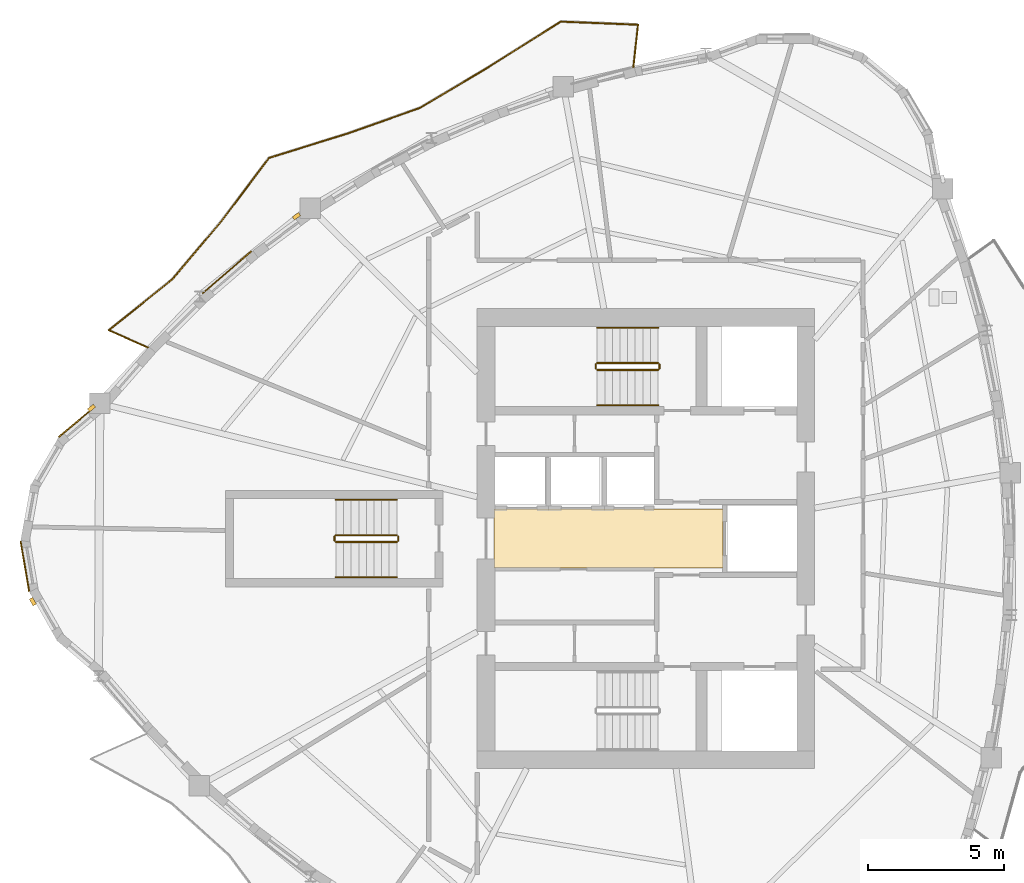
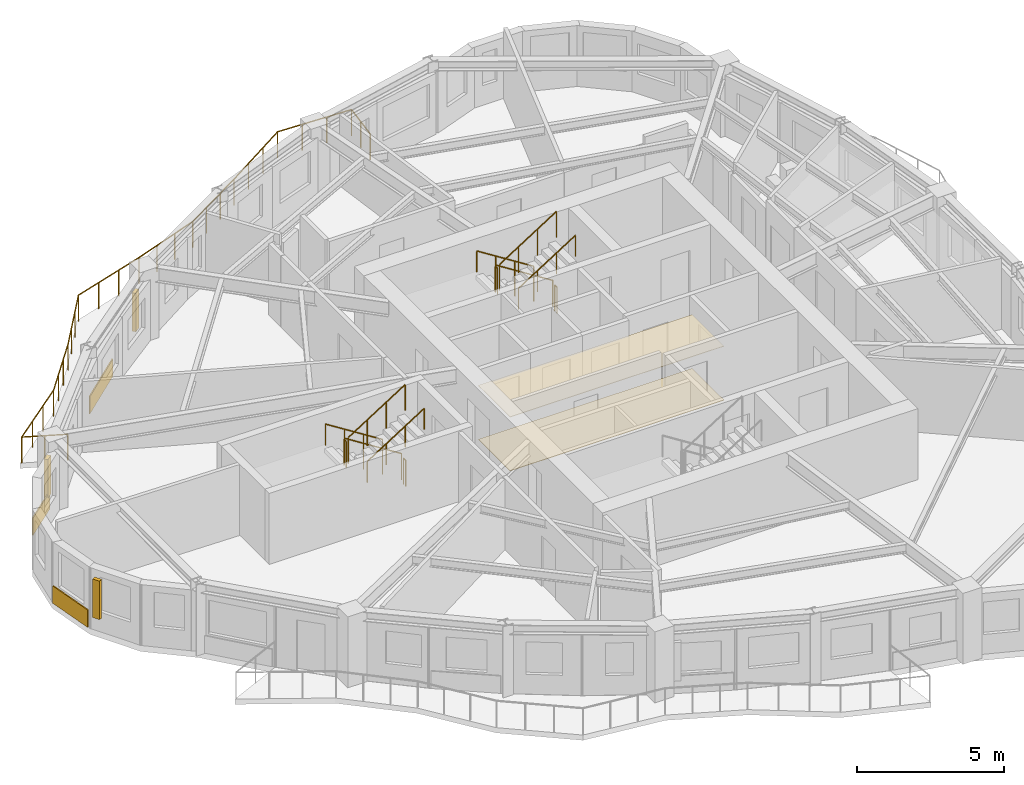
# One storey, part 10 of 12: 13 railings, 5 coverings, 3 shading devices.
"""IFC4 building model written with IfcOpenShell, lengths in metres."""

from ifc_helpers import new_model, si_unit, direction, frame, origin, origin_2d, place, context, subcontext, project, spatial, polyline, rectangle, circle, outline, extrude, source, transform, mapped, material, layer, layer_set, type_object, element, save


model = new_model("IFC4")

# Units and contexts
model_context = context("Model", 3, precision=1e-05, world=origin(), true_north=direction((0.0, 1.0)))
body_context = subcontext(model_context, "Body", "Model", "MODEL_VIEW")
ifc_project = project(units=[si_unit("LENGTHUNIT", "METRE"), si_unit("AREAUNIT", "SQUARE_METRE"), si_unit("VOLUMEUNIT", "CUBIC_METRE"), si_unit("PLANEANGLEUNIT", "RADIAN"), si_unit("MASSUNIT", "GRAM", prefix="KILO")], contexts=[model_context])

# Site, building, storey
site_placement = place(None, origin())
site = spatial("IfcSite", under=ifc_project, at=site_placement, CompositionType="ELEMENT")
building_placement = place(site_placement, origin())
building = spatial("IfcBuilding", under=site, at=building_placement, Name="Qafzar Sky-Pleat Residences", CompositionType="ELEMENT")
storey_placement = place(building_placement, frame((0.0, 0.0, 171.39990234375)))
storey = spatial("IfcBuildingStorey", under=building, at=storey_placement, Name="L51", CompositionType="ELEMENT", Elevation=171.39990234375)

# Coverings
ifc_material_1 = material(Name="Perforated acoustic gypsum board ceiling")
ifc_layer_1 = layer(ifc_material_1, 0.02001953125)
ifc_layer_set_1 = layer_set([ifc_layer_1], Name="Perforated acoustic gypsum board ceiling")
covering_type_1 = type_object("IfcCoveringType", Name="COV-CEIL-ACOUSTIC", PredefinedType="CEILING", material=ifc_layer_set_1)
covering_1_placement = place(storey_placement, frame((0.0, 0.0, 2.239990234375)))
element("IfcCovering", 1, at=covering_1_placement, inside=storey, type_object=covering_type_1, Name="L51 Passenger Lift Lobby Acoustic Ceiling", PredefinedType="CEILING", context=body_context, shape_type="SweptSolid", body=[
    extrude(outline(polyline([(33.179931640625, 24.919921875), (24.77001953125, 24.919921875), (24.77001953125, 27.080078125), (33.179931640625, 27.080078125), (33.179931640625, 24.919921875)])), origin(), (0.0, 0.0, 1.0), 0.02001953125),
])
ifc_material_2 = material(Name="Honed porcelain and Riyadh stone tile flooring", Category="masonry")
ifc_layer_2 = layer(ifc_material_2, 0.02001953125)
ifc_layer_set_2 = layer_set([ifc_layer_2], Name="Honed porcelain and Riyadh stone tile flooring")
covering_type_2 = type_object("IfcCoveringType", Name="COV-FLR-PORCELAIN", PredefinedType="FLOORING", material=ifc_layer_set_2)
covering_2_placement = place(storey_placement, origin())
element("IfcCovering", 2, at=covering_2_placement, inside=storey, type_object=covering_type_2, Name="L51 Passenger Lift Lobby Honed Stone Flooring", PredefinedType="FLOORING", context=body_context, shape_type="SweptSolid", body=[
    extrude(outline(polyline([(33.179931640625, 24.919921875), (24.77001953125, 24.919921875), (24.77001953125, 27.080078125), (33.179931640625, 27.080078125), (33.179931640625, 24.919921875)])), origin(), (0.0, 0.0, 1.0), 0.02001953125),
])

# Shading devices
ifc_material_3 = material(Name="Honed Riyadh limestone solar fin", Category="masonry")
ifc_layer_3 = layer(ifc_material_3, 0.139892578125)
ifc_layer_set_3 = layer_set([ifc_layer_3], Name="Honed Riyadh limestone solar fin")
shading_device_type = type_object("IfcShadingDeviceType", Name="SHD-FIN-STONE", PredefinedType="SHUTTER", material=ifc_layer_set_3)
shared_shape_1 = source(origin(), body_context, "Body", "SweptSolid", [
    extrude(rectangle(XDim=0.139892578125, YDim=0.280029296875, at=origin_2d()), origin(), (0.0, 0.0, 1.0), 1.60009765625),
])
for number, where, z_axis, x_axis, name in (
    (3, (9.977783203125, 30.7958984375, 0.60009765625), (0.0, 0.0, 1.0), (-0.642173926269, 0.766558966042, 0.0), "L51 Limestone Solar Fin 1"),
    (4, (7.822998046875, 23.68310546875, 0.60009765625), (0.0, 0.0, 1.0), (-0.869636147996, -0.493693194301, 0.0), "L51 Limestone Solar Fin 5"),
    (5, (17.51025390625, 37.845947265625, 0.60009765625), (0.0, 0.0, 1.0), (-0.594869963507, 0.803821949512, 0.0), "L51 Limestone Solar Fin 45"),
):
    element("IfcShadingDevice", number, at=place(storey_placement, frame(where, z_axis=z_axis, x_axis=x_axis)), inside=storey, type_object=shading_device_type, Name=name, PredefinedType="SHUTTER", context=body_context, shape_type="MappedRepresentation", body=[
        mapped(shared_shape_1, transform((0.0, 0.0, 0.0), x_axis=(1.0, 0.0, 0.0), y_axis=(0.0, 1.0, 0.0), z_axis=(0.0, 0.0, 1.0), scale=1.0)),
    ])

# Covering
ifc_material_4 = material(Name="Honed Riyadh Tuwaiq limestone cladding", Category="masonry")
ifc_layer_4 = layer(ifc_material_4, 0.044921875)
ifc_layer_set_4 = layer_set([ifc_layer_4], Name="Honed Riyadh Tuwaiq limestone cladding")
covering_type_3 = type_object("IfcCoveringType", Name="COV-CLAD-STONE", PredefinedType="CLADDING", material=ifc_layer_set_4)
shared_shape_2 = source(origin(), body_context, "Body", "SweptSolid", [
    extrude(rectangle(XDim=1.872802734375, YDim=0.044921875, at=origin_2d()), origin(), (0.0, 0.0, 1.0), 0.719970703125),
])
covering_3_placement = place(storey_placement, frame((7.5302734375, 24.98046875, 0.02001953125), z_axis=(0.0, 0.0, 1.0), x_axis=(0.168083505524, -0.985772760412, 0.0)))
element("IfcCovering", 6, at=covering_3_placement, inside=storey, type_object=covering_type_3, Name="L51 Riyadh Limestone Spandrel Cladding 4", PredefinedType="CLADDING", context=body_context, shape_type="MappedRepresentation", body=[
    mapped(shared_shape_2, transform((0.0, 0.0, 0.0), x_axis=(1.0, 0.0, 0.0), y_axis=(0.0, 1.0, 0.0), z_axis=(0.0, 0.0, 1.0), scale=1.0)),
])

# Railing
ifc_material_5 = material(Name="Laminated glass and bronze steel balustrade", Category="steel")
railing_type_1 = type_object("IfcRailingType", Name="RAIL-BAL-1100", PredefinedType="BALUSTRADE", material=ifc_material_5)
shared_shape_3 = source(origin(), body_context, "Body", "SweptSolid", [
    extrude(circle(Radius=0.02392578125, at=origin_2d()), frame((0.0, 0.0, 1.076171875), z_axis=(0.108461410542, 0.994100660106, 0.0), x_axis=(-0.994100660106, 0.108461410542, 0.0)), (0.0, 0.0, 1.0), 1.577880859375),
    extrude(circle(Radius=0.02392578125, at=origin_2d()), frame((0.171142578125, 1.568603515625, 1.076171875), z_axis=(-0.999194909063, 0.040118994285, 0.0), x_axis=(-0.040118994285, -0.999194909063, 0.0)), (0.0, 0.0, 1.0), 2.841796875),
    extrude(circle(Radius=0.02392578125, at=origin_2d()), frame((-2.66845703125, 1.6826171875, 1.076171875), z_axis=(-0.846148056043, -0.532947902947, 0.0), x_axis=(0.532947902947, -0.846148056043, 0.0)), (0.0, 0.0, 1.0), 3.174072265625),
    extrude(circle(Radius=0.02392578125, at=origin_2d()), frame((-5.354248046875, -0.009033203125, 1.076171875), z_axis=(-0.85916719873, -0.511694952708, 0.0), x_axis=(0.511694952708, -0.85916719873, 0.0)), (0.0, 0.0, 1.0), 2.886962890625),
    extrude(circle(Radius=0.02392578125, at=origin_2d()), frame((-7.834716796875, -1.486328125, 1.076171875), z_axis=(-0.942773892816, -0.333432732385, 0.0), x_axis=(0.333432732385, -0.942773892816, 0.0)), (0.0, 0.0, 1.0), 2.81396484375),
    extrude(circle(Radius=0.02392578125, at=origin_2d()), frame((-10.487548828125, -2.424560546875, 1.076171875), z_axis=(-0.954969167294, -0.296705054755, 0.0), x_axis=(0.296705054755, -0.954969167294, 0.0)), (0.0, 0.0, 1.0), 3.037841796875),
    extrude(circle(Radius=0.02392578125, at=origin_2d()), frame((-13.388671875, -3.325927734375, 1.076171875), z_axis=(-0.601041730747, -0.799217641135, 0.0), x_axis=(0.799217641135, -0.601041730747, 0.0)), (0.0, 0.0, 1.0), 2.92333984375),
    extrude(circle(Radius=0.02392578125, at=origin_2d()), frame((-15.145751953125, -5.662353515625, 1.076171875), z_axis=(-0.645698045806, -0.763592845463, 0.0), x_axis=(0.763592845463, -0.645698045806, 0.0)), (0.0, 0.0, 1.0), 2.779052734375),
    extrude(circle(Radius=0.02392578125, at=origin_2d()), frame((-16.940185546875, -7.784423828125, 1.076171875), z_axis=(-0.77980175034, -0.626026541103, 0.0), x_axis=(0.626026541103, -0.77980175034, 0.0)), (0.0, 0.0, 1.0), 2.994384765625),
    extrude(circle(Radius=0.02392578125, at=origin_2d()), frame((-19.275146484375, -9.658935546875, 1.076171875), z_axis=(0.915178094517, -0.403049693359, 0.0), x_axis=(0.403049693359, 0.915178094517, 0.0)), (0.0, 0.0, 1.0), 1.577880859375),
    extrude(circle(Radius=0.02099609375, at=origin_2d()), origin(), (0.0, 0.0, 1.0), 1.052001953125),
    extrude(circle(Radius=0.02099609375, at=origin_2d()), frame((0.08544921875, 0.7841796875, 0.0)), (0.0, 0.0, 1.0), 1.052001953125),
    extrude(circle(Radius=0.02099609375, at=origin_2d()), frame((0.171142578125, 1.568603515625, 0.0)), (0.0, 0.0, 1.0), 1.052001953125),
    extrude(circle(Radius=0.02099609375, at=origin_2d()), frame((-0.775390625, 1.606689453125, 0.0)), (0.0, 0.0, 1.0), 1.052001953125),
    extrude(circle(Radius=0.02099609375, at=origin_2d()), frame((-1.721923828125, 1.64453125, 0.0)), (0.0, 0.0, 1.0), 1.052001953125),
    extrude(circle(Radius=0.02099609375, at=origin_2d()), frame((-2.66845703125, 1.6826171875, 0.0)), (0.0, 0.0, 1.0), 1.052001953125),
    extrude(circle(Radius=0.02099609375, at=origin_2d()), frame((-3.563720703125, 1.11865234375, 0.0)), (0.0, 0.0, 1.0), 1.052001953125),
    extrude(circle(Radius=0.02099609375, at=origin_2d()), frame((-4.458984375, 0.554931640625, 0.0)), (0.0, 0.0, 1.0), 1.052001953125),
    extrude(circle(Radius=0.02099609375, at=origin_2d()), frame((-5.354248046875, -0.009033203125, 0.0)), (0.0, 0.0, 1.0), 1.052001953125),
    extrude(circle(Radius=0.02099609375, at=origin_2d()), frame((-6.18115234375, -0.50146484375, 0.0)), (0.0, 0.0, 1.0), 1.052001953125),
    extrude(circle(Radius=0.02099609375, at=origin_2d()), frame((-7.0078125, -0.993896484375, 0.0)), (0.0, 0.0, 1.0), 1.052001953125),
    extrude(circle(Radius=0.02099609375, at=origin_2d()), frame((-7.834716796875, -1.486328125, 0.0)), (0.0, 0.0, 1.0), 1.052001953125),
    extrude(circle(Radius=0.02099609375, at=origin_2d()), frame((-8.718994140625, -1.799072265625, 0.0)), (0.0, 0.0, 1.0), 1.052001953125),
    extrude(circle(Radius=0.02099609375, at=origin_2d()), frame((-9.603271484375, -2.11181640625, 0.0)), (0.0, 0.0, 1.0), 1.052001953125),
    extrude(circle(Radius=0.02099609375, at=origin_2d()), frame((-10.487548828125, -2.424560546875, 0.0)), (0.0, 0.0, 1.0), 1.052001953125),
    extrude(circle(Radius=0.02099609375, at=origin_2d()), frame((-11.45458984375, -2.72509765625, 0.0)), (0.0, 0.0, 1.0), 1.052001953125),
    extrude(circle(Radius=0.02099609375, at=origin_2d()), frame((-12.421630859375, -3.025390625, 0.0)), (0.0, 0.0, 1.0), 1.052001953125),
    extrude(circle(Radius=0.02099609375, at=origin_2d()), frame((-13.388671875, -3.325927734375, 0.0)), (0.0, 0.0, 1.0), 1.052001953125),
    extrude(circle(Radius=0.02099609375, at=origin_2d()), frame((-13.974365234375, -4.104736328125, 0.0)), (0.0, 0.0, 1.0), 1.052001953125),
    extrude(circle(Radius=0.02099609375, at=origin_2d()), frame((-14.56005859375, -4.883544921875, 0.0)), (0.0, 0.0, 1.0), 1.052001953125),
    extrude(circle(Radius=0.02099609375, at=origin_2d()), frame((-15.145751953125, -5.662353515625, 0.0)), (0.0, 0.0, 1.0), 1.052001953125),
    extrude(circle(Radius=0.02099609375, at=origin_2d()), frame((-15.743896484375, -6.36962890625, 0.0)), (0.0, 0.0, 1.0), 1.052001953125),
    extrude(circle(Radius=0.02099609375, at=origin_2d()), frame((-16.342041015625, -7.0771484375, 0.0)), (0.0, 0.0, 1.0), 1.052001953125),
    extrude(circle(Radius=0.02099609375, at=origin_2d()), frame((-16.940185546875, -7.784423828125, 0.0)), (0.0, 0.0, 1.0), 1.052001953125),
    extrude(circle(Radius=0.02099609375, at=origin_2d()), frame((-17.718505859375, -8.4091796875, 0.0)), (0.0, 0.0, 1.0), 1.052001953125),
    extrude(circle(Radius=0.02099609375, at=origin_2d()), frame((-18.496826171875, -9.0341796875, 0.0)), (0.0, 0.0, 1.0), 1.052001953125),
    extrude(circle(Radius=0.02099609375, at=origin_2d()), frame((-19.275146484375, -9.658935546875, 0.0)), (0.0, 0.0, 1.0), 1.052001953125),
    extrude(circle(Radius=0.02099609375, at=origin_2d()), frame((-18.55322265625, -9.97705078125, 0.0)), (0.0, 0.0, 1.0), 1.052001953125),
    extrude(circle(Radius=0.02099609375, at=origin_2d()), frame((-17.8310546875, -10.294921875, 0.0)), (0.0, 0.0, 1.0), 1.052001953125),
])
railing_placement = place(storey_placement, frame((29.890869140625, 43.314453125, 0.0)))
element("IfcRailing", 7, at=railing_placement, inside=storey, type_object=railing_type_1, Name="L51 Pleated Balcony 2 Balustrade", PredefinedType="BALUSTRADE", context=body_context, shape_type="MappedRepresentation", body=[
    mapped(shared_shape_3, transform((0.0, 0.0, 0.0), x_axis=(1.0, 0.0, 0.0), y_axis=(0.0, 1.0, 0.0), z_axis=(0.0, 0.0, 1.0), scale=1.0)),
])

# Coverings
shared_shape_4 = source(origin(), body_context, "Body", "SweptSolid", [
    extrude(rectangle(XDim=1.690185546875, YDim=0.044921875, at=origin_2d()), origin(), (0.0, 0.0, 1.0), 0.719970703125),
])
covering_4_placement = place(storey_placement, frame((9.4228515625, 30.27490234375, 0.02001953125), z_axis=(0.0, 0.0, 1.0), x_axis=(-0.766555899937, -0.642177586242, 0.0)))
element("IfcCovering", 8, at=covering_4_placement, inside=storey, type_object=covering_type_3, Name="L51 Riyadh Limestone Spandrel Cladding 1", PredefinedType="CLADDING", context=body_context, shape_type="MappedRepresentation", body=[
    mapped(shared_shape_4, transform((0.0, 0.0, 0.0), x_axis=(1.0, 0.0, 0.0), y_axis=(0.0, 1.0, 0.0), z_axis=(0.0, 0.0, 1.0), scale=1.0)),
])
shared_shape_5 = source(origin(), body_context, "Body", "SweptSolid", [
    extrude(rectangle(XDim=2.372314453125, YDim=0.044921875, at=origin_2d()), origin(), (0.0, 0.0, 1.0), 0.719970703125),
])
covering_5_placement = place(storey_placement, frame((14.955078125, 35.783447265625, 0.02001953125), z_axis=(0.0, 0.0, 1.0), x_axis=(-0.757486299872, -0.652851059206, 0.0)))
element("IfcCovering", 9, at=covering_5_placement, inside=storey, type_object=covering_type_3, Name="L51 Riyadh Limestone Spandrel Cladding 46", PredefinedType="CLADDING", context=body_context, shape_type="MappedRepresentation", body=[
    mapped(shared_shape_5, transform((0.0, 0.0, 0.0), x_axis=(1.0, 0.0, 0.0), y_axis=(0.0, 1.0, 0.0), z_axis=(0.0, 0.0, 1.0), scale=1.0)),
])

# Railings
ifc_material_6 = material(Name="Painted Steel S355 stair guardrail", Category="steel")
railing_type_2 = type_object("IfcRailingType", Name="RAIL-STAIR-GUARD", PredefinedType="GUARDRAIL", material=ifc_material_6)
shared_shape_6 = source(origin(), body_context, "Body", "SweptSolid", [
    extrude(circle(Radius=0.02392578125, at=origin_2d()), frame((0.0, 0.0, 1.076171875), z_axis=(0.0, -1.0, 0.0), x_axis=(1.0, 0.0, 0.0)), (0.0, 0.0, 1.0), 0.14990234375),
    extrude(circle(Radius=0.02099609375, at=origin_2d()), origin(), (0.0, 0.0, 1.0), 1.052001953125),
    extrude(circle(Radius=0.02099609375, at=origin_2d()), frame((0.0, -0.14990234375, 0.0)), (0.0, 0.0, 1.0), 1.052001953125),
])
for number, where, name in (
    (10, (28.510009765625, 32.39990234375, 1.60009765625), "L51 ST2 stair guard 2"),
    (11, (30.85009765625, 32.39990234375, 0.0), "L51 ST2 stair guard 4"),
    (12, (18.909912109375, 26.074951171875, 1.60009765625), "L51 ST3 stair guard 2"),
    (13, (21.25, 26.074951171875, 0.0), "L51 ST3 stair guard 4"),
):
    element("IfcRailing", number, at=place(storey_placement, frame(where)), inside=storey, type_object=railing_type_2, Name=name, PredefinedType="GUARDRAIL", context=body_context, shape_type="MappedRepresentation", body=[
        mapped(shared_shape_6, transform((0.0, 0.0, 0.0), x_axis=(1.0, 0.0, 0.0), y_axis=(0.0, 1.0, 0.0), z_axis=(0.0, 0.0, 1.0), scale=1.0)),
    ])
shared_shape_7 = source(origin(), body_context, "Body", "SweptSolid", [
    extrude(circle(Radius=0.02392578125, at=origin_2d()), frame((0.0, 0.0, 1.076171875), z_axis=(-0.8442293374, 0.0, 0.53598211339), x_axis=(0.0, -1.0, 0.0)), (0.0, 0.0, 1.0), 2.6533203125),
    extrude(circle(Radius=0.02099609375, at=origin_2d()), origin(), (0.0, 0.0, 1.0), 1.052001953125),
    extrude(circle(Radius=0.02099609375, at=origin_2d()), frame((-0.74658203125, 0.0, 0.47412109375)), (0.0, 0.0, 1.0), 1.052001953125),
    extrude(circle(Radius=0.02099609375, at=origin_2d()), frame((-1.493408203125, 0.0, 0.947998046875)), (0.0, 0.0, 1.0), 1.052001953125),
    extrude(circle(Radius=0.02099609375, at=origin_2d()), frame((-2.239990234375, 0.0, 1.422119140625)), (0.0, 0.0, 1.0), 1.052001953125),
])
for number, where, name in (
    (14, (30.800048828125, 32.449951171875, 0.177978515625), "L51 ST2 stair guard 1"),
    (15, (21.199951171875, 26.125, 0.177978515625), "L51 ST3 stair guard 1"),
):
    element("IfcRailing", number, at=place(storey_placement, frame(where)), inside=storey, type_object=railing_type_2, Name=name, PredefinedType="GUARDRAIL", context=body_context, shape_type="MappedRepresentation", body=[
        mapped(shared_shape_7, transform((0.0, 0.0, 0.0), x_axis=(1.0, 0.0, 0.0), y_axis=(0.0, 1.0, 0.0), z_axis=(0.0, 0.0, 1.0), scale=1.0)),
    ])
ifc_material_7 = material(Name="Brushed stainless steel handrail", Category="steel")
railing_type_3 = type_object("IfcRailingType", Name="RAIL-STAIR-HAND", PredefinedType="HANDRAIL", material=ifc_material_7)
shared_shape_8 = source(origin(), body_context, "Body", "SweptSolid", [
    extrude(circle(Radius=0.02392578125, at=origin_2d()), frame((0.0, 0.0, 0.8759765625), z_axis=(-0.8442293374, 0.0, 0.53598211339), x_axis=(0.0, -1.0, 0.0)), (0.0, 0.0, 1.0), 2.6533203125),
    extrude(circle(Radius=0.02099609375, at=origin_2d()), origin(), (0.0, 0.0, 1.0), 0.851806640625),
    extrude(circle(Radius=0.02099609375, at=origin_2d()), frame((-0.74658203125, 0.0, 0.47412109375)), (0.0, 0.0, 1.0), 0.851806640625),
    extrude(circle(Radius=0.02099609375, at=origin_2d()), frame((-1.493408203125, 0.0, 0.947998046875)), (0.0, 0.0, 1.0), 0.851806640625),
    extrude(circle(Radius=0.02099609375, at=origin_2d()), frame((-2.239990234375, 0.0, 1.422119140625)), (0.0, 0.0, 1.0), 0.851806640625),
])
for number, where, name in (
    (16, (30.800048828125, 33.75, 0.177978515625), "L51 ST2 stair handrail 1"),
    (17, (21.199951171875, 27.425048828125, 0.177978515625), "L51 ST3 stair handrail 1"),
):
    element("IfcRailing", number, at=place(storey_placement, frame(where)), inside=storey, type_object=railing_type_3, Name=name, PredefinedType="HANDRAIL", context=body_context, shape_type="MappedRepresentation", body=[
        mapped(shared_shape_8, transform((0.0, 0.0, 0.0), x_axis=(1.0, 0.0, 0.0), y_axis=(0.0, 1.0, 0.0), z_axis=(0.0, 0.0, 1.0), scale=1.0)),
    ])
shared_shape_9 = source(origin(), body_context, "Body", "SweptSolid", [
    extrude(circle(Radius=0.02392578125, at=origin_2d()), frame((0.0, 0.0, 1.076171875), z_axis=(0.84418770128, 0.0, 0.536047689118), x_axis=(0.0, 1.0, 0.0)), (0.0, 0.0, 1.0), 2.6533203125),
    extrude(circle(Radius=0.02099609375, at=origin_2d()), origin(), (0.0, 0.0, 1.0), 1.052001953125),
    extrude(circle(Radius=0.02099609375, at=origin_2d()), frame((0.74658203125, 0.0, 0.47412109375)), (0.0, 0.0, 1.0), 1.052001953125),
    extrude(circle(Radius=0.02099609375, at=origin_2d()), frame((1.493408203125, 0.0, 0.9482421875)), (0.0, 0.0, 1.0), 1.052001953125),
    extrude(circle(Radius=0.02099609375, at=origin_2d()), frame((2.239990234375, 0.0, 1.42236328125)), (0.0, 0.0, 1.0), 1.052001953125),
])
for number, where, name in (
    (18, (28.56005859375, 32.199951171875, 1.77783203125), "L51 ST2 stair guard 3"),
    (19, (18.9599609375, 25.875, 1.77783203125), "L51 ST3 stair guard 3"),
):
    element("IfcRailing", number, at=place(storey_placement, frame(where)), inside=storey, type_object=railing_type_2, Name=name, PredefinedType="GUARDRAIL", context=body_context, shape_type="MappedRepresentation", body=[
        mapped(shared_shape_9, transform((0.0, 0.0, 0.0), x_axis=(1.0, 0.0, 0.0), y_axis=(0.0, 1.0, 0.0), z_axis=(0.0, 0.0, 1.0), scale=1.0)),
    ])
shared_shape_10 = source(origin(), body_context, "Body", "SweptSolid", [
    extrude(circle(Radius=0.02392578125, at=origin_2d()), frame((0.0, 0.0, 0.8759765625), z_axis=(0.84418770128, 0.0, 0.536047689118), x_axis=(0.0, 1.0, 0.0)), (0.0, 0.0, 1.0), 2.6533203125),
    extrude(circle(Radius=0.02099609375, at=origin_2d()), origin(), (0.0, 0.0, 1.0), 0.851806640625),
    extrude(circle(Radius=0.02099609375, at=origin_2d()), frame((0.74658203125, 0.0, 0.47412109375)), (0.0, 0.0, 1.0), 0.851806640625),
    extrude(circle(Radius=0.02099609375, at=origin_2d()), frame((1.493408203125, 0.0, 0.9482421875)), (0.0, 0.0, 1.0), 0.851806640625),
    extrude(circle(Radius=0.02099609375, at=origin_2d()), frame((2.239990234375, 0.0, 1.42236328125)), (0.0, 0.0, 1.0), 0.851806640625),
])
for number, where, name in (
    (20, (28.56005859375, 30.89990234375, 1.77783203125), "L51 ST2 stair handrail 2"),
    (21, (18.9599609375, 24.574951171875, 1.77783203125), "L51 ST3 stair handrail 2"),
):
    element("IfcRailing", number, at=place(storey_placement, frame(where)), inside=storey, type_object=railing_type_3, Name=name, PredefinedType="HANDRAIL", context=body_context, shape_type="MappedRepresentation", body=[
        mapped(shared_shape_10, transform((0.0, 0.0, 0.0), x_axis=(1.0, 0.0, 0.0), y_axis=(0.0, 1.0, 0.0), z_axis=(0.0, 0.0, 1.0), scale=1.0)),
    ])

save(model, "model.ifc")
